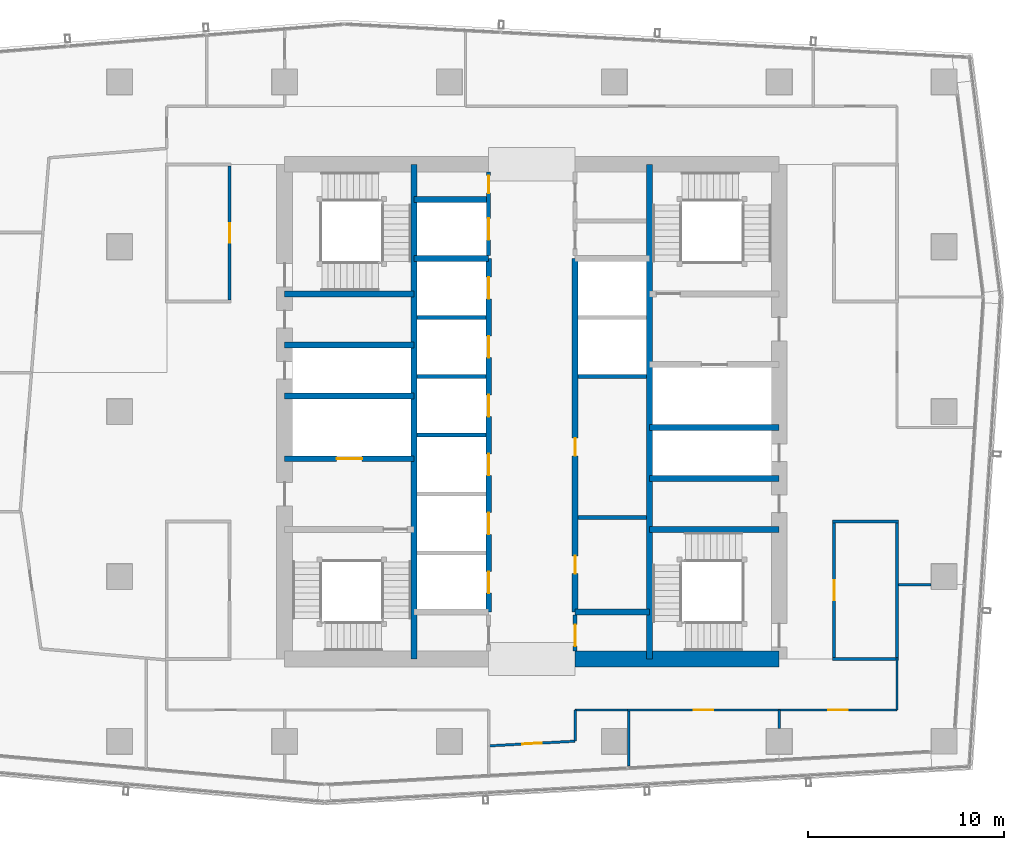
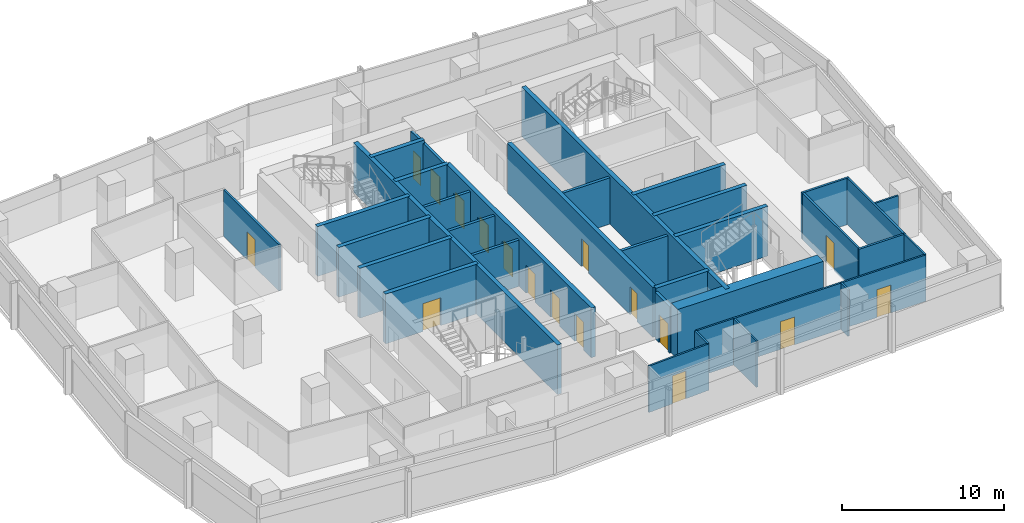
# One storey, part 23 of 29: 36 walls, 17 doors, 17 openings.
"""IFC4 building model written with IfcOpenShell, lengths in metres."""

import ifcopenshell
import ifcopenshell.guid

model = None  # the IFC model being written
_history = None  # IfcOwnerHistory: only IFC2X3 demands one
_inside = {}  # id of a spatial element -> (the spatial element, [elements in it])
_under = {}  # id of a project, library or spatial element -> (it, [spatial elements below it])
_declared = {}  # id of a project -> (the project, [libraries it declares])
_typed = {}  # id of a type object -> (the type object, [elements of that type])
_made_of = {}  # id of a material, layer set ... -> (it, [elements and type objects made of it])


def new_model(schema):
    """Start an empty IFC model of exactly this schema.

    Asked for "IFC4X3", IfcOpenShell would pick the latest addendum, in which some entities
    have other attributes; the version numbers below select the first issue.
    IFC2X3 requires an IfcOwnerHistory on every rooted entity: one is made here for all.
    """
    global model, _history
    if schema == "IFC4X3":
        model = ifcopenshell.file(schema_version=(4, 3, 0, 0))
    else:
        model = ifcopenshell.file(schema=schema)
    _inside.clear()
    _under.clear()
    _declared.clear()
    _typed.clear()
    _made_of.clear()
    _history = None
    if model.schema == "IFC2X3":
        org = make("IfcOrganization", Name="unknown")
        user = make(
            "IfcPersonAndOrganization",
            ThePerson=make("IfcPerson", FamilyName="unknown"),
            TheOrganization=org,
        )
        app = make(
            "IfcApplication",
            ApplicationDeveloper=org,
            Version="unknown",
            ApplicationFullName="unknown",
            ApplicationIdentifier="unknown",
        )
        _history = make(
            "IfcOwnerHistory",
            OwningUser=user,
            OwningApplication=app,
            ChangeAction="ADDED",
            CreationDate=0,
        )
    return model


def make(cls, **values):
    """One entity of the class cls with the attributes given. An attribute that is None is left unset."""
    return model.create_entity(
        cls, **{name: value for name, value in values.items() if value is not None}
    )


def rooted(cls, **values):
    """An entity with a GlobalId (a new one), such as an element, a storey or a relation."""
    return make(cls, GlobalId=ifcopenshell.guid.new(), OwnerHistory=_history, **values)


def si_unit(unit_type, name, prefix=None):
    """IfcSIUnit, for example si_unit("LENGTHUNIT", "METRE", prefix="MILLI")."""
    return make("IfcSIUnit", UnitType=unit_type, Prefix=prefix, Name=name)


def assignment(units):
    """IfcUnitAssignment: the units of a project."""
    return None if units is None else make("IfcUnitAssignment", Units=units)


def point(xyz):
    """IfcCartesianPoint."""
    return None if xyz is None else make("IfcCartesianPoint", Coordinates=xyz)


def direction(xyz):
    """IfcDirection."""
    return None if xyz is None else make("IfcDirection", DirectionRatios=xyz)


def frame(location, z_axis=None, x_axis=None):
    """IfcAxis2Placement3D, a coordinate frame: its origin and axes. An axis left out is left unset."""
    return make(
        "IfcAxis2Placement3D",
        Location=point(location),
        Axis=direction(z_axis),
        RefDirection=direction(x_axis),
    )


def frame_2d(location, x_axis=None):
    """IfcAxis2Placement2D, a coordinate frame in the plane: its origin and x axis."""
    return make(
        "IfcAxis2Placement2D", Location=point(location), RefDirection=direction(x_axis)
    )


def origin():
    """The frame at (0, 0, 0) with its axes left unset."""
    return frame((0.0, 0.0, 0.0))


def place(relative_to, where):
    """IfcLocalPlacement: puts the frame where relative to a parent placement (None: the world)."""
    return make(
        "IfcLocalPlacement", PlacementRelTo=relative_to, RelativePlacement=where
    )


def context(
    kind, dimensions, precision=None, world=None, true_north=None, identifier=None
):
    """IfcGeometricRepresentationContext, for example the 3D "Model" context."""
    return make(
        "IfcGeometricRepresentationContext",
        ContextIdentifier=identifier,
        ContextType=kind,
        CoordinateSpaceDimension=dimensions,
        Precision=precision,
        WorldCoordinateSystem=world,
        TrueNorth=true_north,
    )


def subcontext(parent, identifier, kind, view, scale=None):
    """IfcGeometricRepresentationSubContext, for example "Body" below "Model"."""
    return make(
        "IfcGeometricRepresentationSubContext",
        ContextIdentifier=identifier,
        ContextType=kind,
        ParentContext=parent,
        TargetScale=scale,
        TargetView=view,
    )


def project(units=None, contexts=None):
    """IfcProject with its units and contexts."""
    return rooted(
        "IfcProject",
        Name="project",
        RepresentationContexts=contexts,
        UnitsInContext=assignment(units),
    )


def spatial(cls, under=None, at=None, **own):
    """A site, building, storey or space (cls), placed at a placement, below another one or the project."""
    s = rooted(cls, ObjectPlacement=at, **own)
    if under is not None:
        _under.setdefault(under.id(), (under, []))[1].append(s)
    return s


def profile(cls, at=None, kind="AREA", **sizes):
    """A parametric profile (cls). Its sizes go by their IFC names, for example OverallWidth=200.0."""
    return make(cls, ProfileType=kind, Position=at, **sizes)


def rectangle(**sizes):
    """IfcRectangleProfileDef."""
    return profile("IfcRectangleProfileDef", **sizes)


def extrude(swept, where, along, depth):
    """IfcExtrudedAreaSolid: the profile swept, set in the frame where, extruded along a direction by depth."""
    return make(
        "IfcExtrudedAreaSolid",
        SweptArea=swept,
        Position=where,
        ExtrudedDirection=direction(along),
        Depth=depth,
    )


def shape(context_of_items, identifier, shape_type, items):
    """IfcShapeRepresentation: the items that make up one representation, for example the "Body"."""
    return make(
        "IfcShapeRepresentation",
        ContextOfItems=context_of_items,
        RepresentationIdentifier=identifier,
        RepresentationType=shape_type,
        Items=items,
    )


def material(Name=None, Category=None):
    """IfcMaterial."""
    return make("IfcMaterial", Name=Name, Category=Category)


def layer(
    of_material, thickness, ventilated=None, Name=None, Category=None, Priority=None
):
    """IfcMaterialLayer: one layer of a wall or slab, of a material (None: an air gap)."""
    return make(
        "IfcMaterialLayer",
        Material=of_material,
        LayerThickness=thickness,
        IsVentilated=ventilated,
        Name=Name,
        Category=Category,
        Priority=Priority,
    )


def layer_set(layers, Name=None):
    """IfcMaterialLayerSet."""
    return make("IfcMaterialLayerSet", MaterialLayers=layers, LayerSetName=Name)


def made_of(thing, what):
    """Note that an element or type object is made of a material, layer set ...; save() writes the relation."""
    if what is not None:
        _made_of.setdefault(what.id(), (what, []))[1].append(thing)
    return thing


def type_object(cls, material=None, **own):
    """A type object (cls), such as IfcWallType, which elements share."""
    return made_of(rooted(cls, **own), material)


def element(
    cls,
    number,
    at=None,
    inside=None,
    cuts=None,
    type_object=None,
    material=None,
    context=None,
    identifier="Body",
    shape_type=None,
    held_by="IfcProductDefinitionShape",
    body=None,
    shapes=None,
    **own,
):
    """One element of the class cls, such as IfcWall. Its Tag is "e" and its number.

    at: its placement. inside: the storey or other place that contains it. cuts: it is an
    opening in that element (IfcRelVoidsElement). A single representation is given by context,
    identifier, shape_type and body (its items); several are given by shapes. held_by: the class
    of the entity that holds the representations. save() writes the other relations.
    """
    e = rooted(cls, Tag="e%d" % number, ObjectPlacement=at, **own)
    if body is not None:
        shapes = [shape(context, identifier, shape_type, body)]
    if shapes is not None:
        e.Representation = make(held_by, Representations=shapes)
    if inside is not None:
        _inside.setdefault(inside.id(), (inside, []))[1].append(e)
    if cuts is not None:
        rooted(
            "IfcRelVoidsElement", RelatingBuildingElement=cuts, RelatedOpeningElement=e
        )
    if type_object is not None:
        _typed.setdefault(type_object.id(), (type_object, []))[1].append(e)
    return made_of(e, material)


def fill(opening, filler):
    """IfcRelFillsElement: the door or window that sits in an opening."""
    return rooted(
        "IfcRelFillsElement",
        RelatingOpeningElement=opening,
        RelatedBuildingElement=filler,
    )


def aggregate(whole, parts):
    """IfcRelAggregates: a whole, such as a stair, and the parts it consists of."""
    return rooted("IfcRelAggregates", RelatingObject=whole, RelatedObjects=parts)


def save(model, path):
    """Write the relations noted so far, then the file.

    IfcRelAggregates (storeys below a building ...), IfcRelContainedInSpatialStructure (elements
    in a storey), IfcRelDefinesByType, IfcRelAssociatesMaterial and IfcRelDeclares: one each for
    every whole, place, type object, material and project.
    """
    for whole, parts in _under.values():
        aggregate(whole, parts)
    for where, things in _inside.values():
        rooted(
            "IfcRelContainedInSpatialStructure",
            RelatedElements=things,
            RelatingStructure=where,
        )
    for kind, things in _typed.values():
        rooted("IfcRelDefinesByType", RelatedObjects=things, RelatingType=kind)
    for what, things in _made_of.values():
        rooted("IfcRelAssociatesMaterial", RelatedObjects=things, RelatingMaterial=what)
    for by, libraries in _declared.values():
        rooted("IfcRelDeclares", RelatingContext=by, RelatedDefinitions=libraries)
    model.write(path)


model = new_model("IFC4")

# Units and contexts
model_context = context("Model", 3, precision=1e-05, world=origin(), true_north=direction((0.0, 1.0)))
body_context = subcontext(model_context, "Body", "Model", "MODEL_VIEW")
ifc_project = project(units=[si_unit("LENGTHUNIT", "METRE"), si_unit("AREAUNIT", "SQUARE_METRE"), si_unit("VOLUMEUNIT", "CUBIC_METRE"), si_unit("PLANEANGLEUNIT", "RADIAN"), si_unit("MASSUNIT", "GRAM", prefix="KILO")], contexts=[model_context])

# Site, building, storey
site_placement = place(None, origin())
site = spatial("IfcSite", under=ifc_project, at=site_placement, CompositionType="ELEMENT")
building_placement = place(site_placement, origin())
building = spatial("IfcBuilding", under=site, at=building_placement, Name="Rekha Terrace Tower", CompositionType="ELEMENT")
storey_placement = place(building_placement, frame((0.0, 0.0, 280.10009765625)))
storey = spatial("IfcBuildingStorey", under=building, at=storey_placement, Name="L71", CompositionType="ELEMENT", Elevation=280.10009765625)

# Walls
ifc_material_1 = material(Name="Concrete M60", Category="concrete")
ifc_layer_1 = layer(ifc_material_1, 0.300048828125)
ifc_layer_set_1 = layer_set([ifc_layer_1], Name="Concrete M60")
wall_type_1 = type_object("IfcWallType", Name="CI5 300 core internal shear wall", PredefinedType="SHEAR", material=ifc_layer_set_1)
for number, where, z_axis, x_axis, name in (
    (1, (31.800048828125, 21.0, 0.0), (0.0, 0.0, 1.0), (0.0, 1.0, 0.0), "Core wall X318 L71"),
    (2, (43.800048828125, 21.0, 0.0), (0.0, 0.0, 1.0), (0.0, 1.0, 0.0), "Core wall X438 L71"),
):
    element("IfcWall", number, at=place(storey_placement, frame(where, z_axis=z_axis, x_axis=x_axis)), inside=storey, type_object=wall_type_1, Name=name, PredefinedType="SHEAR", context=body_context, shape_type="SweptSolid", body=[
        extrude(rectangle(XDim=25.199951171875, YDim=0.300048828125, at=frame_2d((12.60009765625, 0.0))), origin(), (0.0, 0.0, 1.0), 3.75),
    ])

# Wall, openings, doors
wall_1_placement = place(storey_placement, frame((35.60009765625, 23.39990234375, 0.0), z_axis=(0.0, 0.0, 1.0), x_axis=(0.0, 1.0, 0.0)))
wall_1 = element("IfcWall", 3, at=wall_1_placement, inside=storey, type_object=wall_type_1, Name="Core wall X356 L71", PredefinedType="SHEAR", context=body_context, shape_type="SweptSolid", body=[
    extrude(rectangle(XDim=18.0, YDim=0.300048828125, at=frame_2d((9.0, 0.0))), origin(), (0.0, 0.0, 1.0), 3.75),
])
opening_1_placement = place(wall_1_placement, frame((0.949951171875, 0.0, 0.0)))
opening_1 = element("IfcOpeningElement", 4, at=opening_1_placement, cuts=wall_1, Name="Opening LD1", PredefinedType="OPENING", context=body_context, shape_type="SweptSolid", body=[
    extrude(rectangle(XDim=1.10009765625, YDim=2.10009765625, at=frame_2d((0.550048828125, 1.050048828125))), frame((0.0, 0.159912109375, 0.0), z_axis=(0.0, -1.0, 0.0), x_axis=(1.0, 0.0, 0.0)), (0.0, 0.0, 1.0), 0.320068359375),
])
opening_2_placement = place(wall_1_placement, frame((3.949951171875, 0.0, 0.0)))
opening_2 = element("IfcOpeningElement", 5, at=opening_2_placement, cuts=wall_1, Name="Opening LD1", PredefinedType="OPENING", context=body_context, shape_type="SweptSolid", body=[
    extrude(rectangle(XDim=1.10009765625, YDim=2.10009765625, at=frame_2d((0.550048828125, 1.050048828125))), frame((0.0, 0.159912109375, 0.0), z_axis=(0.0, -1.0, 0.0), x_axis=(1.0, 0.0, 0.0)), (0.0, 0.0, 1.0), 0.320068359375),
])
opening_3_placement = place(wall_1_placement, frame((6.949951171875, 0.0, 0.0)))
opening_3 = element("IfcOpeningElement", 6, at=opening_3_placement, cuts=wall_1, Name="Opening LD1", PredefinedType="OPENING", context=body_context, shape_type="SweptSolid", body=[
    extrude(rectangle(XDim=1.10009765625, YDim=2.10009765625, at=frame_2d((0.550048828125, 1.050048828125))), frame((0.0, 0.159912109375, 0.0), z_axis=(0.0, -1.0, 0.0), x_axis=(1.0, 0.0, 0.0)), (0.0, 0.0, 1.0), 0.320068359375),
])
opening_4_placement = place(wall_1_placement, frame((9.949951171875, 0.0, 0.0)))
opening_4 = element("IfcOpeningElement", 7, at=opening_4_placement, cuts=wall_1, Name="Opening LD1", PredefinedType="OPENING", context=body_context, shape_type="SweptSolid", body=[
    extrude(rectangle(XDim=1.10009765625, YDim=2.10009765625, at=frame_2d((0.550048828125, 1.050048828125))), frame((0.0, 0.159912109375, 0.0), z_axis=(0.0, -1.0, 0.0), x_axis=(1.0, 0.0, 0.0)), (0.0, 0.0, 1.0), 0.320068359375),
])
opening_5_placement = place(wall_1_placement, frame((12.949951171875, 0.0, 0.0)))
opening_5 = element("IfcOpeningElement", 8, at=opening_5_placement, cuts=wall_1, Name="Opening LD1", PredefinedType="OPENING", context=body_context, shape_type="SweptSolid", body=[
    extrude(rectangle(XDim=1.10009765625, YDim=2.10009765625, at=frame_2d((0.550048828125, 1.050048828125))), frame((0.0, 0.159912109375, 0.0), z_axis=(0.0, -1.0, 0.0), x_axis=(1.0, 0.0, 0.0)), (0.0, 0.0, 1.0), 0.320068359375),
])
opening_6_placement = place(wall_1_placement, frame((15.949951171875, 0.0, 0.0)))
opening_6 = element("IfcOpeningElement", 9, at=opening_6_placement, cuts=wall_1, Name="Opening LD1", PredefinedType="OPENING", context=body_context, shape_type="SweptSolid", body=[
    extrude(rectangle(XDim=1.10009765625, YDim=2.10009765625, at=frame_2d((0.550048828125, 1.050048828125))), frame((0.0, 0.159912109375, 0.0), z_axis=(0.0, -1.0, 0.0), x_axis=(1.0, 0.0, 0.0)), (0.0, 0.0, 1.0), 0.320068359375),
])
ifc_material_2 = material(Name="Stainless steel sliding landing door", Category="steel")
door_type_1 = type_object("IfcDoorType", Name="LD1 1100x2100 lift landing door", OperationType="SLIDING_TO_LEFT", PredefinedType="USERDEFINED", material=ifc_material_2)
door_1_placement = place(opening_1_placement, origin())
door_1 = element("IfcDoor", 10, at=door_1_placement, inside=storey, type_object=door_type_1, Name="Lift D1 landing door L71", ObjectType="LIFT LANDING DOOR", OperationType="SLIDING_TO_LEFT", OverallHeight=2.10009765625, OverallWidth=1.10009765625, PredefinedType="USERDEFINED", context=body_context, shape_type="SweptSolid", body=[
    extrude(rectangle(XDim=1.10009765625, YDim=2.10009765625, at=frame_2d((0.550048828125, 1.050048828125))), frame((0.0, 0.02490234375, 0.0), z_axis=(0.0, -1.0, 0.0), x_axis=(1.0, 0.0, 0.0)), (0.0, 0.0, 1.0), 0.050048828125),
])
fill(opening_1, door_1)
door_2_placement = place(opening_2_placement, origin())
door_2 = element("IfcDoor", 11, at=door_2_placement, inside=storey, type_object=door_type_1, Name="Lift D2 landing door L71", ObjectType="LIFT LANDING DOOR", OperationType="SLIDING_TO_LEFT", OverallHeight=2.10009765625, OverallWidth=1.10009765625, PredefinedType="USERDEFINED", context=body_context, shape_type="SweptSolid", body=[
    extrude(rectangle(XDim=1.10009765625, YDim=2.10009765625, at=frame_2d((0.550048828125, 1.050048828125))), frame((0.0, 0.02490234375, 0.0), z_axis=(0.0, -1.0, 0.0), x_axis=(1.0, 0.0, 0.0)), (0.0, 0.0, 1.0), 0.050048828125),
])
fill(opening_2, door_2)
door_3_placement = place(opening_3_placement, origin())
door_3 = element("IfcDoor", 12, at=door_3_placement, inside=storey, type_object=door_type_1, Name="Lift D3 landing door L71", ObjectType="LIFT LANDING DOOR", OperationType="SLIDING_TO_LEFT", OverallHeight=2.10009765625, OverallWidth=1.10009765625, PredefinedType="USERDEFINED", context=body_context, shape_type="SweptSolid", body=[
    extrude(rectangle(XDim=1.10009765625, YDim=2.10009765625, at=frame_2d((0.550048828125, 1.050048828125))), frame((0.0, 0.02490234375, 0.0), z_axis=(0.0, -1.0, 0.0), x_axis=(1.0, 0.0, 0.0)), (0.0, 0.0, 1.0), 0.050048828125),
])
fill(opening_3, door_3)
door_4_placement = place(opening_4_placement, origin())
door_4 = element("IfcDoor", 13, at=door_4_placement, inside=storey, type_object=door_type_1, Name="Lift D4 landing door L71", ObjectType="LIFT LANDING DOOR", OperationType="SLIDING_TO_LEFT", OverallHeight=2.10009765625, OverallWidth=1.10009765625, PredefinedType="USERDEFINED", context=body_context, shape_type="SweptSolid", body=[
    extrude(rectangle(XDim=1.10009765625, YDim=2.10009765625, at=frame_2d((0.550048828125, 1.050048828125))), frame((0.0, 0.02490234375, 0.0), z_axis=(0.0, -1.0, 0.0), x_axis=(1.0, 0.0, 0.0)), (0.0, 0.0, 1.0), 0.050048828125),
])
fill(opening_4, door_4)
door_5_placement = place(opening_5_placement, origin())
door_5 = element("IfcDoor", 14, at=door_5_placement, inside=storey, type_object=door_type_1, Name="Lift D5 landing door L71", ObjectType="LIFT LANDING DOOR", OperationType="SLIDING_TO_LEFT", OverallHeight=2.10009765625, OverallWidth=1.10009765625, PredefinedType="USERDEFINED", context=body_context, shape_type="SweptSolid", body=[
    extrude(rectangle(XDim=1.10009765625, YDim=2.10009765625, at=frame_2d((0.550048828125, 1.050048828125))), frame((0.0, 0.02490234375, 0.0), z_axis=(0.0, -1.0, 0.0), x_axis=(1.0, 0.0, 0.0)), (0.0, 0.0, 1.0), 0.050048828125),
])
fill(opening_5, door_5)
door_6_placement = place(opening_6_placement, origin())
door_6 = element("IfcDoor", 15, at=door_6_placement, inside=storey, type_object=door_type_1, Name="Lift D6 landing door L71", ObjectType="LIFT LANDING DOOR", OperationType="SLIDING_TO_LEFT", OverallHeight=2.10009765625, OverallWidth=1.10009765625, PredefinedType="USERDEFINED", context=body_context, shape_type="SweptSolid", body=[
    extrude(rectangle(XDim=1.10009765625, YDim=2.10009765625, at=frame_2d((0.550048828125, 1.050048828125))), frame((0.0, 0.02490234375, 0.0), z_axis=(0.0, -1.0, 0.0), x_axis=(1.0, 0.0, 0.0)), (0.0, 0.0, 1.0), 0.050048828125),
])
fill(opening_6, door_6)

wall_2_placement = place(storey_placement, frame((40.0, 23.39990234375, 0.0), z_axis=(0.0, 0.0, 1.0), x_axis=(0.0, 1.0, 0.0)))
wall_2 = element("IfcWall", 16, at=wall_2_placement, inside=storey, type_object=wall_type_1, Name="Core wall X400 L71", PredefinedType="SHEAR", context=body_context, shape_type="SweptSolid", body=[
    extrude(rectangle(XDim=18.0, YDim=0.300048828125, at=frame_2d((9.0, 0.0))), origin(), (0.0, 0.0, 1.0), 3.75),
])
opening_7_placement = place(wall_2_placement, frame((1.949951171875, 0.0, 0.0)))
opening_7 = element("IfcOpeningElement", 17, at=opening_7_placement, cuts=wall_2, Name="Opening D5", PredefinedType="OPENING", context=body_context, shape_type="SweptSolid", body=[
    extrude(rectangle(XDim=0.89990234375, YDim=2.10009765625, at=frame_2d((0.449951171875, 1.050048828125))), frame((0.0, 0.159912109375, 0.0), z_axis=(0.0, -1.0, 0.0), x_axis=(1.0, 0.0, 0.0)), (0.0, 0.0, 1.0), 0.320068359375),
])
opening_8_placement = place(wall_2_placement, frame((7.949951171875, 0.0, 0.0)))
opening_8 = element("IfcOpeningElement", 18, at=opening_8_placement, cuts=wall_2, Name="Opening D5", PredefinedType="OPENING", context=body_context, shape_type="SweptSolid", body=[
    extrude(rectangle(XDim=0.89990234375, YDim=2.10009765625, at=frame_2d((0.449951171875, 1.050048828125))), frame((0.0, 0.159912109375, 0.0), z_axis=(0.0, -1.0, 0.0), x_axis=(1.0, 0.0, 0.0)), (0.0, 0.0, 1.0), 0.320068359375),
])
ifc_material_3 = material(Name="Steel fire door", Category="steel")
door_type_2 = type_object("IfcDoorType", Name="D5 900x2100 riser access door", OperationType="SINGLE_SWING_LEFT", PredefinedType="DOOR", material=ifc_material_3)
door_7_placement = place(opening_7_placement, origin())
door_7 = element("IfcDoor", 19, at=door_7_placement, inside=storey, type_object=door_type_2, Name="Door records store L71", OperationType="SINGLE_SWING_LEFT", OverallHeight=2.10009765625, OverallWidth=0.89990234375, PredefinedType="DOOR", context=body_context, shape_type="SweptSolid", body=[
    extrude(rectangle(XDim=0.89990234375, YDim=2.10009765625, at=frame_2d((0.449951171875, 1.050048828125))), frame((0.0, 0.02490234375, 0.0), z_axis=(0.0, -1.0, 0.0), x_axis=(1.0, 0.0, 0.0)), (0.0, 0.0, 1.0), 0.050048828125),
])
fill(opening_7, door_7)
door_8_placement = place(opening_8_placement, origin())
door_8 = element("IfcDoor", 20, at=door_8_placement, inside=storey, type_object=door_type_2, Name="Door back-of-house store L71", OperationType="SINGLE_SWING_LEFT", OverallHeight=2.10009765625, OverallWidth=0.89990234375, PredefinedType="DOOR", context=body_context, shape_type="SweptSolid", body=[
    extrude(rectangle(XDim=0.89990234375, YDim=2.10009765625, at=frame_2d((0.449951171875, 1.050048828125))), frame((0.0, 0.02490234375, 0.0), z_axis=(0.0, -1.0, 0.0), x_axis=(1.0, 0.0, 0.0)), (0.0, 0.0, 1.0), 0.050048828125),
])
fill(opening_8, door_8)

# Walls
for number, where, z_axis, x_axis, name in (
    (21, (31.800048828125, 41.39990234375, 0.0), (0.0, 0.0, 1.0), (1.0, 0.0, 0.0), "Core wall Y414W L71"),
    (22, (31.800048828125, 44.39990234375, 0.0), (0.0, 0.0, 1.0), (1.0, 0.0, 0.0), "Core wall Y444W L71"),
    (23, (40.0, 23.39990234375, 0.0), (0.0, 0.0, 1.0), (1.0, 0.0, 0.0), "Core wall Y234E L71"),
):
    element("IfcWall", number, at=place(storey_placement, frame(where, z_axis=z_axis, x_axis=x_axis)), inside=storey, type_object=wall_type_1, Name=name, PredefinedType="SHEAR", context=body_context, shape_type="SweptSolid", body=[
        extrude(rectangle(XDim=3.800048828125, YDim=0.300048828125, at=frame_2d((1.89990234375, 0.0))), origin(), (0.0, 0.0, 1.0), 3.75),
    ])

# Wall, opening, door
wall_3_placement = place(storey_placement, frame((25.199951171875, 31.199951171875, 0.0), z_axis=(0.0, 0.0, 1.0), x_axis=(1.0, 0.0, 0.0)))
wall_3 = element("IfcWall", 24, at=wall_3_placement, inside=storey, type_object=wall_type_1, Name="Core wall Y312W L71", PredefinedType="SHEAR", context=body_context, shape_type="SweptSolid", body=[
    extrude(rectangle(XDim=6.60009765625, YDim=0.300048828125, at=frame_2d((3.300048828125, 0.0))), origin(), (0.0, 0.0, 1.0), 3.75),
])
opening_9_placement = place(wall_3_placement, frame((2.64990234375, 0.0, 0.0)))
opening_9 = element("IfcOpeningElement", 25, at=opening_9_placement, cuts=wall_3, Name="Opening LD2", PredefinedType="OPENING", context=body_context, shape_type="SweptSolid", body=[
    extrude(rectangle(XDim=1.300048828125, YDim=2.10009765625, at=frame_2d((0.64990234375, 1.050048828125))), frame((0.0, 0.159912109375, 0.0), z_axis=(0.0, -1.0, 0.0), x_axis=(1.0, 0.0, 0.0)), (0.0, 0.0, 1.0), 0.320068359375),
])
door_type_3 = type_object("IfcDoorType", Name="LD2 1300x2100 fire lift landing door", OperationType="SLIDING_TO_LEFT", PredefinedType="USERDEFINED", material=ifc_material_2)
door_9_placement = place(opening_9_placement, origin())
door_9 = element("IfcDoor", 26, at=door_9_placement, inside=storey, type_object=door_type_3, Name="Lift FL1 landing door L71", ObjectType="LIFT LANDING DOOR", OperationType="SLIDING_TO_LEFT", OverallHeight=2.10009765625, OverallWidth=1.300048828125, PredefinedType="USERDEFINED", context=body_context, shape_type="SweptSolid", body=[
    extrude(rectangle(XDim=1.300048828125, YDim=2.10009765625, at=frame_2d((0.64990234375, 1.050048828125))), frame((0.0, 0.02490234375, 0.0), z_axis=(0.0, -1.0, 0.0), x_axis=(1.0, 0.0, 0.0)), (0.0, 0.0, 1.0), 0.050048828125),
])
fill(opening_9, door_9)

# Walls
for number, where, z_axis, x_axis, name in (
    (27, (25.199951171875, 34.39990234375, 0.0), (0.0, 0.0, 1.0), (1.0, 0.0, 0.0), "Core wall Y344W L71"),
    (28, (25.199951171875, 37.0, 0.0), (0.0, 0.0, 1.0), (1.0, 0.0, 0.0), "Core wall Y370W L71"),
    (29, (25.199951171875, 39.60009765625, 0.0), (0.0, 0.0, 1.0), (1.0, 0.0, 0.0), "Core wall Y396W L71"),
):
    element("IfcWall", number, at=place(storey_placement, frame(where, z_axis=z_axis, x_axis=x_axis)), inside=storey, type_object=wall_type_1, Name=name, PredefinedType="SHEAR", context=body_context, shape_type="SweptSolid", body=[
        extrude(rectangle(XDim=6.60009765625, YDim=0.300048828125, at=frame_2d((3.300048828125, 0.0))), origin(), (0.0, 0.0, 1.0), 3.75),
    ])
for number, where, z_axis, x_axis, name in (
    (30, (43.800048828125, 27.60009765625, 0.0), (0.0, 0.0, 1.0), (1.0, 0.0, 0.0), "Core wall Y276E L71"),
    (31, (43.800048828125, 30.199951171875, 0.0), (0.0, 0.0, 1.0), (1.0, 0.0, 0.0), "Core wall Y302E L71"),
    (32, (43.800048828125, 32.800048828125, 0.0), (0.0, 0.0, 1.0), (1.0, 0.0, 0.0), "Core wall Y328E L71"),
):
    element("IfcWall", number, at=place(storey_placement, frame(where, z_axis=z_axis, x_axis=x_axis)), inside=storey, type_object=wall_type_1, Name=name, PredefinedType="SHEAR", context=body_context, shape_type="SweptSolid", body=[
        extrude(rectangle(XDim=6.599853515625, YDim=0.300048828125, at=frame_2d((3.2998046875, 0.0))), origin(), (0.0, 0.0, 1.0), 3.75),
    ])
ifc_layer_2 = layer(ifc_material_1, 0.800048828125)
ifc_layer_set_2 = layer_set([ifc_layer_2], Name="Concrete M60")
wall_type_2 = type_object("IfcWallType", Name="SW5 800 core outer shear wall", PredefinedType="SHEAR", material=ifc_layer_set_2)
wall_4_placement = place(storey_placement, frame((40.0, 21.0, 0.0), z_axis=(0.0, 0.0, 1.0), x_axis=(1.0, 0.0, 0.0)))
element("IfcWall", 33, at=wall_4_placement, inside=storey, type_object=wall_type_2, Name="Core wall S2 L71", PredefinedType="SHEAR", context=body_context, shape_type="SweptSolid", body=[
    extrude(rectangle(XDim=10.39990234375, YDim=0.800048828125, at=frame_2d((5.199951171875, 0.0))), origin(), (0.0, 0.0, 1.0), 3.75),
])

# Wall, opening, door
ifc_material_4 = material(Name="Concrete block masonry, 1 hour", Category="masonry")
ifc_layer_3 = layer(ifc_material_4, 0.14990234375)
ifc_layer_set_3 = layer_set([ifc_layer_3], Name="Concrete block masonry, 1 hour")
wall_type_3 = type_object("IfcWallType", Name="WP2 150 tenancy partition", PredefinedType="PARTITIONING", material=ifc_layer_set_3)
wall_5_placement = place(storey_placement, frame((22.39990234375, 39.27490234375, 0.0), z_axis=(0.0, 0.0, 1.0), x_axis=(0.0, 1.0, 0.0)))
wall_5 = element("IfcWall", 34, at=wall_5_placement, inside=storey, type_object=wall_type_3, Name="Women's WC wall L71", PredefinedType="PARTITIONING", context=body_context, shape_type="SweptSolid", body=[
    extrude(rectangle(XDim=6.85009765625, YDim=0.14990234375, at=frame_2d((3.425048828125, 0.0))), origin(), (0.0, 0.0, 1.0), 3.5),
])
opening_10_placement = place(wall_5_placement, frame((2.925048828125, 0.0, 0.0)))
opening_10 = element("IfcOpeningElement", 35, at=opening_10_placement, cuts=wall_5, Name="Opening D3", PredefinedType="OPENING", context=body_context, shape_type="SweptSolid", body=[
    extrude(rectangle(XDim=1.0, YDim=2.10009765625, at=frame_2d((0.5, 1.050048828125))), frame((0.0, 0.0849609375, 0.0), z_axis=(0.0, -1.0, 0.0), x_axis=(1.0, 0.0, 0.0)), (0.0, 0.0, 1.0), 0.169921875),
])
ifc_material_5 = material(Name="Laminated timber fire door", Category="wood")
door_type_4 = type_object("IfcDoorType", Name="D3 1000x2100 WC door", OperationType="SINGLE_SWING_LEFT", PredefinedType="DOOR", material=ifc_material_5)
door_10_placement = place(opening_10_placement, origin())
door_10 = element("IfcDoor", 36, at=door_10_placement, inside=storey, type_object=door_type_4, Name="Door women's wc L71", OperationType="SINGLE_SWING_LEFT", OverallHeight=2.10009765625, OverallWidth=1.0, PredefinedType="DOOR", context=body_context, shape_type="SweptSolid", body=[
    extrude(rectangle(XDim=1.0, YDim=2.10009765625, at=frame_2d((0.5, 1.050048828125))), frame((0.0, 0.02490234375, 0.0), z_axis=(0.0, -1.0, 0.0), x_axis=(1.0, 0.0, 0.0)), (0.0, 0.0, 1.0), 0.050048828125),
])
fill(opening_10, door_10)

# Walls
for number, where, z_axis, x_axis, name in (
    (37, (53.125, 21.0, 0.0), (0.0, 0.0, 1.0), (1.0, 0.0, 0.0), "Men's WC wall L71"),
    (38, (53.125, 28.0, 0.0), (0.0, 0.0, 1.0), (1.0, 0.0, 0.0), "Men's WC wall L71"),
):
    element("IfcWall", number, at=place(storey_placement, frame(where, z_axis=z_axis, x_axis=x_axis)), inside=storey, type_object=wall_type_3, Name=name, PredefinedType="PARTITIONING", context=body_context, shape_type="SweptSolid", body=[
        extrude(rectangle(XDim=3.35009765625, YDim=0.14990234375, at=frame_2d((1.675048828125, 0.0))), origin(), (0.0, 0.0, 1.0), 3.5),
    ])

# Wall, opening, door
wall_6_placement = place(storey_placement, frame((53.199951171875, 21.074951171875, 0.0), z_axis=(0.0, 0.0, 1.0), x_axis=(0.0, 1.0, 0.0)))
wall_6 = element("IfcWall", 39, at=wall_6_placement, inside=storey, type_object=wall_type_3, Name="Men's WC wall L71", PredefinedType="PARTITIONING", context=body_context, shape_type="SweptSolid", body=[
    extrude(rectangle(XDim=6.85009765625, YDim=0.14990234375, at=frame_2d((3.425048828125, 0.0))), origin(), (0.0, 0.0, 1.0), 3.5),
])
opening_11_placement = place(wall_6_placement, frame((2.925048828125, 0.0, 0.0)))
opening_11 = element("IfcOpeningElement", 40, at=opening_11_placement, cuts=wall_6, Name="Opening D3", PredefinedType="OPENING", context=body_context, shape_type="SweptSolid", body=[
    extrude(rectangle(XDim=1.0, YDim=2.10009765625, at=frame_2d((0.5, 1.050048828125))), frame((0.0, 0.0849609375, 0.0), z_axis=(0.0, -1.0, 0.0), x_axis=(1.0, 0.0, 0.0)), (0.0, 0.0, 1.0), 0.169921875),
])
door_11_placement = place(opening_11_placement, origin())
door_11 = element("IfcDoor", 41, at=door_11_placement, inside=storey, type_object=door_type_4, Name="Door men's wc L71", OperationType="SINGLE_SWING_LEFT", OverallHeight=2.10009765625, OverallWidth=1.0, PredefinedType="DOOR", context=body_context, shape_type="SweptSolid", body=[
    extrude(rectangle(XDim=1.0, YDim=2.10009765625, at=frame_2d((0.5, 1.050048828125))), frame((0.0, 0.02490234375, 0.0), z_axis=(0.0, -1.0, 0.0), x_axis=(1.0, 0.0, 0.0)), (0.0, 0.0, 1.0), 0.050048828125),
])
fill(opening_11, door_11)

# Walls
wall_7_placement = place(storey_placement, frame((56.39990234375, 21.074951171875, 0.0), z_axis=(0.0, 0.0, 1.0), x_axis=(0.0, 1.0, 0.0)))
element("IfcWall", 42, at=wall_7_placement, inside=storey, type_object=wall_type_3, Name="Men's WC wall L71", PredefinedType="PARTITIONING", context=body_context, shape_type="SweptSolid", body=[
    extrude(rectangle(XDim=6.85009765625, YDim=0.14990234375, at=frame_2d((3.425048828125, 0.0))), origin(), (0.0, 0.0, 1.0), 3.5),
])
ifc_material_6 = material(Name="Two layers of fire-rated gypsum board each side on steel studs, acoustic quilt, 1 hour", Category="steel")
ifc_layer_4 = layer(ifc_material_6, 0.125)
ifc_layer_set_4 = layer_set([ifc_layer_4], Name="Two layers of fire-rated gypsum board each side on steel studs, acoustic quilt, 1 hour")
wall_type_4 = type_object("IfcWallType", Name="WP3 125 office partition", PredefinedType="PARTITIONING", material=ifc_layer_set_4)
wall_8_placement = place(storey_placement, frame((40.0, 16.81103515625, 0.0), z_axis=(0.0, 0.0, 1.0), x_axis=(0.0, 1.0, 0.0)))
element("IfcWall", 43, at=wall_8_placement, inside=storey, type_object=wall_type_4, Name="Partition L71-08", PredefinedType="PARTITIONING", context=body_context, shape_type="SweptSolid", body=[
    extrude(rectangle(XDim=1.5888671875, YDim=0.125, at=frame_2d((0.79443359375, 0.0))), origin(), (0.0, 0.0, 1.0), 3.5),
])
wall_9_placement = place(storey_placement, frame((40.0, 18.39990234375, 0.0), z_axis=(0.0, 0.0, 1.0), x_axis=(1.0, 0.0, 0.0)))
element("IfcWall", 44, at=wall_9_placement, inside=storey, type_object=wall_type_4, Name="Partition L71-08", PredefinedType="PARTITIONING", context=body_context, shape_type="SweptSolid", body=[
    extrude(rectangle(XDim=2.673095703125, YDim=0.125, at=frame_2d((1.33642578125, 0.0))), origin(), (0.0, 0.0, 1.0), 3.5),
])
wall_10_placement = place(storey_placement, frame((42.741943359375, 18.3369140625, 0.0), z_axis=(0.0, 0.0, 1.0), x_axis=(0.0, -1.0, 0.0)))
element("IfcWall", 45, at=wall_10_placement, inside=storey, type_object=wall_type_4, Name="Partition L71-08", PredefinedType="PARTITIONING", context=body_context, shape_type="SweptSolid", body=[
    extrude(rectangle(XDim=2.798828125, YDim=0.125, at=frame_2d((1.3994140625, 0.0))), origin(), (0.0, 0.0, 1.0), 3.5),
])

# Wall, opening, door
wall_11_placement = place(storey_placement, frame((35.59912109375, 16.571044921875, 0.0), z_axis=(0.0, 0.0, 1.0), x_axis=(0.998516419886, 0.054451439074, 0.0)))
wall_11 = element("IfcWall", 46, at=wall_11_placement, inside=storey, type_object=wall_type_4, Name="Partition L71-08", PredefinedType="PARTITIONING", context=body_context, shape_type="SweptSolid", body=[
    extrude(rectangle(XDim=4.407470703125, YDim=0.125, at=frame_2d((2.20361328125, 0.0))), origin(), (0.0, 0.0, 1.0), 3.5),
])
opening_12_placement = place(wall_11_placement, frame((1.7041015625, 0.0, 0.0)))
opening_12 = element("IfcOpeningElement", 47, at=opening_12_placement, cuts=wall_11, Name="Opening D9", PredefinedType="OPENING", context=body_context, shape_type="SweptSolid", body=[
    extrude(rectangle(XDim=1.0, YDim=2.10009765625, at=frame_2d((0.5, 1.050048828125))), frame((0.0, 0.072509765625, 0.0), z_axis=(0.0, -1.0, 0.0), x_axis=(1.0, 0.0, 0.0)), (0.0, 0.0, 1.0), 0.14501953125),
])
ifc_material_7 = material(Name="Timber fire door", Category="wood")
door_type_5 = type_object("IfcDoorType", Name="D9 1000x2100 office door", OperationType="SINGLE_SWING_LEFT", PredefinedType="DOOR", material=ifc_material_7)
door_12_placement = place(opening_12_placement, origin())
door_12 = element("IfcDoor", 48, at=door_12_placement, inside=storey, type_object=door_type_5, Name="Door wellness room L71", OperationType="SINGLE_SWING_LEFT", OverallHeight=2.10009765625, OverallWidth=1.0, PredefinedType="DOOR", context=body_context, shape_type="SweptSolid", body=[
    extrude(rectangle(XDim=1.0, YDim=2.10009765625, at=frame_2d((0.5, 1.050048828125))), frame((0.0, 0.02490234375, 0.0), z_axis=(0.0, -1.0, 0.0), x_axis=(1.0, 0.0, 0.0)), (0.0, 0.0, 1.0), 0.050048828125),
])
fill(opening_12, door_12)

wall_12_placement = place(storey_placement, frame((42.674072265625, 18.39990234375, 0.0), z_axis=(0.0, 0.0, 1.0), x_axis=(1.0, 0.0, 0.0)))
wall_12 = element("IfcWall", 49, at=wall_12_placement, inside=storey, type_object=wall_type_4, Name="Partition L71-09", PredefinedType="PARTITIONING", context=body_context, shape_type="SweptSolid", body=[
    extrude(rectangle(XDim=7.725830078125, YDim=0.125, at=frame_2d((3.86279296875, 0.0))), origin(), (0.0, 0.0, 1.0), 3.5),
])
opening_13_placement = place(wall_12_placement, frame((3.363037109375, 0.0, 0.0)))
opening_13 = element("IfcOpeningElement", 50, at=opening_13_placement, cuts=wall_12, Name="Opening D9", PredefinedType="OPENING", context=body_context, shape_type="SweptSolid", body=[
    extrude(rectangle(XDim=1.0, YDim=2.10009765625, at=frame_2d((0.5, 1.050048828125))), frame((0.0, 0.072509765625, 0.0), z_axis=(0.0, -1.0, 0.0), x_axis=(1.0, 0.0, 0.0)), (0.0, 0.0, 1.0), 0.14501953125),
])
door_13_placement = place(opening_13_placement, origin())
door_13 = element("IfcDoor", 51, at=door_13_placement, inside=storey, type_object=door_type_5, Name="Door board meeting room L71", OperationType="SINGLE_SWING_LEFT", OverallHeight=2.10009765625, OverallWidth=1.0, PredefinedType="DOOR", context=body_context, shape_type="SweptSolid", body=[
    extrude(rectangle(XDim=1.0, YDim=2.10009765625, at=frame_2d((0.5, 1.050048828125))), frame((0.0, 0.02490234375, 0.0), z_axis=(0.0, -1.0, 0.0), x_axis=(1.0, 0.0, 0.0)), (0.0, 0.0, 1.0), 0.050048828125),
])
fill(opening_13, door_13)

# Walls
wall_13_placement = place(storey_placement, frame((50.39990234375, 18.39990234375, 0.0), z_axis=(0.0, 0.0, 1.0), x_axis=(0.0, -1.0, 0.0)))
element("IfcWall", 52, at=wall_13_placement, inside=storey, type_object=wall_type_4, Name="Partition L71-09", PredefinedType="PARTITIONING", context=body_context, shape_type="SweptSolid", body=[
    extrude(rectangle(XDim=0.929931640625, YDim=0.125, at=frame_2d((0.46484375, 0.0))), origin(), (0.0, 0.0, 1.0), 3.5),
])
wall_14_placement = place(storey_placement, frame((56.47509765625, 24.785888671875, 0.0), z_axis=(0.0, 0.0, 1.0), x_axis=(1.0, 0.0, 0.0)))
element("IfcWall", 53, at=wall_14_placement, inside=storey, type_object=wall_type_4, Name="Partition L71-10", PredefinedType="PARTITIONING", context=body_context, shape_type="SweptSolid", body=[
    extrude(rectangle(XDim=1.65478515625, YDim=0.125, at=frame_2d((0.827392578125, 0.0))), origin(), (0.0, 0.0, 1.0), 3.5),
])

# Wall, opening, door
wall_15_placement = place(storey_placement, frame((50.40087890625, 18.39990234375, 0.0), z_axis=(0.0, 0.0, 1.0), x_axis=(1.0, 0.0, 0.0)))
wall_15 = element("IfcWall", 54, at=wall_15_placement, inside=storey, type_object=wall_type_4, Name="Partition L71-10", PredefinedType="PARTITIONING", context=body_context, shape_type="SweptSolid", body=[
    extrude(rectangle(XDim=5.9990234375, YDim=0.125, at=frame_2d((2.99951171875, 0.0))), origin(), (0.0, 0.0, 1.0), 3.5),
])
opening_14_placement = place(wall_15_placement, frame((2.4990234375, 0.0, 0.0)))
opening_14 = element("IfcOpeningElement", 55, at=opening_14_placement, cuts=wall_15, Name="Opening D9", PredefinedType="OPENING", context=body_context, shape_type="SweptSolid", body=[
    extrude(rectangle(XDim=1.0, YDim=2.10009765625, at=frame_2d((0.5, 1.050048828125))), frame((0.0, 0.072509765625, 0.0), z_axis=(0.0, -1.0, 0.0), x_axis=(1.0, 0.0, 0.0)), (0.0, 0.0, 1.0), 0.14501953125),
])
door_14_placement = place(opening_14_placement, origin())
door_14 = element("IfcDoor", 56, at=door_14_placement, inside=storey, type_object=door_type_5, Name="Door chairman's office L71", OperationType="SINGLE_SWING_LEFT", OverallHeight=2.10009765625, OverallWidth=1.0, PredefinedType="DOOR", context=body_context, shape_type="SweptSolid", body=[
    extrude(rectangle(XDim=1.0, YDim=2.10009765625, at=frame_2d((0.5, 1.050048828125))), frame((0.0, 0.02490234375, 0.0), z_axis=(0.0, -1.0, 0.0), x_axis=(1.0, 0.0, 0.0)), (0.0, 0.0, 1.0), 0.050048828125),
])
fill(opening_14, door_14)

# Walls
wall_16_placement = place(storey_placement, frame((56.39990234375, 18.39990234375, 0.0), z_axis=(0.0, 0.0, 1.0), x_axis=(0.0, 1.0, 0.0)))
element("IfcWall", 57, at=wall_16_placement, inside=storey, type_object=wall_type_4, Name="Partition L71-10", PredefinedType="PARTITIONING", context=body_context, shape_type="SweptSolid", body=[
    extrude(rectangle(XDim=2.675048828125, YDim=0.125, at=frame_2d((1.33740234375, 0.0))), origin(), (0.0, 0.0, 1.0), 3.5),
])
ifc_material_8 = material(Name="Solid concrete block masonry, 2 hour", Category="masonry")
ifc_layer_5 = layer(ifc_material_8, 0.199951171875)
ifc_layer_set_5 = layer_set([ifc_layer_5], Name="Solid concrete block masonry, 2 hour")
wall_type_5 = type_object("IfcWallType", Name="WS1 200 stair and shaft enclosure", PredefinedType="PARTITIONING", material=ifc_layer_set_5)
for number, where, z_axis, x_axis, name in (
    (58, (31.949951171875, 32.39990234375, 0.0), (0.0, 0.0, 1.0), (1.0, 0.0, 0.0), "Lift shaft divider L71"),
    (59, (31.949951171875, 35.39990234375, 0.0), (0.0, 0.0, 1.0), (1.0, 0.0, 0.0), "Lift shaft divider L71"),
    (60, (31.949951171875, 38.39990234375, 0.0), (0.0, 0.0, 1.0), (1.0, 0.0, 0.0), "Lift shaft divider L71"),
    (61, (40.14990234375, 35.39990234375, 0.0), (0.0, 0.0, 1.0), (1.0, 0.0, 0.0), "Lift shaft divider L71"),
):
    element("IfcWall", number, at=place(storey_placement, frame(where, z_axis=z_axis, x_axis=x_axis)), inside=storey, type_object=wall_type_5, Name=name, PredefinedType="PARTITIONING", context=body_context, shape_type="SweptSolid", body=[
        extrude(rectangle(XDim=3.5, YDim=0.199951171875, at=frame_2d((1.75, 0.0))), origin(), (0.0, 0.0, 1.0), 3.5),
    ])

# Wall, opening, door
wall_17_placement = place(storey_placement, frame((40.0, 21.39990234375, 0.0), z_axis=(0.0, 0.0, 1.0), x_axis=(0.0, 1.0, 0.0)))
wall_17 = element("IfcWall", 62, at=wall_17_placement, inside=storey, type_object=wall_type_5, Name="Core partition wca L71", PredefinedType="PARTITIONING", context=body_context, shape_type="SweptSolid", body=[
    extrude(rectangle(XDim=1.85009765625, YDim=0.199951171875, at=frame_2d((0.925048828125, 0.0))), origin(), (0.0, 0.0, 1.0), 3.5),
])
opening_15_placement = place(wall_17_placement, frame((0.25, 0.0, 0.0)))
opening_15 = element("IfcOpeningElement", 63, at=opening_15_placement, cuts=wall_17, Name="Opening D4", PredefinedType="OPENING", context=body_context, shape_type="SweptSolid", body=[
    extrude(rectangle(XDim=1.10009765625, YDim=2.10009765625, at=frame_2d((0.550048828125, 1.050048828125))), frame((0.0, 0.10986328125, 0.0), z_axis=(0.0, -1.0, 0.0), x_axis=(1.0, 0.0, 0.0)), (0.0, 0.0, 1.0), 0.219970703125),
])
door_type_6 = type_object("IfcDoorType", Name="D4 1100x2100 accessible WC door", OperationType="SLIDING_TO_LEFT", PredefinedType="DOOR", material=ifc_material_5)
door_15_placement = place(opening_15_placement, origin())
door_15 = element("IfcDoor", 64, at=door_15_placement, inside=storey, type_object=door_type_6, Name="Door wca L71", OperationType="SLIDING_TO_LEFT", OverallHeight=2.10009765625, OverallWidth=1.10009765625, PredefinedType="DOOR", context=body_context, shape_type="SweptSolid", body=[
    extrude(rectangle(XDim=1.10009765625, YDim=2.10009765625, at=frame_2d((0.550048828125, 1.050048828125))), frame((0.0, 0.02490234375, 0.0), z_axis=(0.0, -1.0, 0.0), x_axis=(1.0, 0.0, 0.0)), (0.0, 0.0, 1.0), 0.050048828125),
])
fill(opening_15, door_15)

# Wall, openings, doors
wall_18_placement = place(storey_placement, frame((35.60009765625, 41.550048828125, 0.0), z_axis=(0.0, 0.0, 1.0), x_axis=(0.0, 1.0, 0.0)))
wall_18 = element("IfcWall", 65, at=wall_18_placement, inside=storey, type_object=wall_type_5, Name="Core partition jansv L71", PredefinedType="PARTITIONING", context=body_context, shape_type="SweptSolid", body=[
    extrude(rectangle(XDim=4.25, YDim=0.199951171875, at=frame_2d((2.125, 0.0))), origin(), (0.0, 0.0, 1.0), 3.5),
])
opening_16_placement = place(wall_18_placement, frame((3.175048828125, 0.0, 0.0)))
opening_16 = element("IfcOpeningElement", 66, at=opening_16_placement, cuts=wall_18, Name="Opening D5", PredefinedType="OPENING", context=body_context, shape_type="SweptSolid", body=[
    extrude(rectangle(XDim=0.89990234375, YDim=2.10009765625, at=frame_2d((0.449951171875, 1.050048828125))), frame((0.0, 0.10986328125, 0.0), z_axis=(0.0, -1.0, 0.0), x_axis=(1.0, 0.0, 0.0)), (0.0, 0.0, 1.0), 0.219970703125),
])
opening_17_placement = place(wall_18_placement, frame((0.800048828125, 0.0, 0.0)))
opening_17 = element("IfcOpeningElement", 67, at=opening_17_placement, cuts=wall_18, Name="Opening LD1", PredefinedType="OPENING", context=body_context, shape_type="SweptSolid", body=[
    extrude(rectangle(XDim=1.10009765625, YDim=2.10009765625, at=frame_2d((0.550048828125, 1.050048828125))), frame((0.0, 0.10986328125, 0.0), z_axis=(0.0, -1.0, 0.0), x_axis=(1.0, 0.0, 0.0)), (0.0, 0.0, 1.0), 0.219970703125),
])
door_16_placement = place(opening_16_placement, origin())
door_16 = element("IfcDoor", 68, at=door_16_placement, inside=storey, type_object=door_type_2, Name="Door janitor room L71", OperationType="SINGLE_SWING_LEFT", OverallHeight=2.10009765625, OverallWidth=0.89990234375, PredefinedType="DOOR", context=body_context, shape_type="SweptSolid", body=[
    extrude(rectangle(XDim=0.89990234375, YDim=2.10009765625, at=frame_2d((0.449951171875, 1.050048828125))), frame((0.0, 0.02490234375, 0.0), z_axis=(0.0, -1.0, 0.0), x_axis=(1.0, 0.0, 0.0)), (0.0, 0.0, 1.0), 0.050048828125),
])
fill(opening_16, door_16)
door_17_placement = place(opening_17_placement, origin())
door_17 = element("IfcDoor", 69, at=door_17_placement, inside=storey, type_object=door_type_1, Name="Lift SV1 landing door L71", ObjectType="LIFT LANDING DOOR", OperationType="SLIDING_TO_LEFT", OverallHeight=2.10009765625, OverallWidth=1.10009765625, PredefinedType="USERDEFINED", context=body_context, shape_type="SweptSolid", body=[
    extrude(rectangle(XDim=1.10009765625, YDim=2.10009765625, at=frame_2d((0.550048828125, 1.050048828125))), frame((0.0, 0.02490234375, 0.0), z_axis=(0.0, -1.0, 0.0), x_axis=(1.0, 0.0, 0.0)), (0.0, 0.0, 1.0), 0.050048828125),
])
fill(opening_17, door_17)

# Wall
wall_19_placement = place(storey_placement, frame((40.14990234375, 28.199951171875, 0.0), z_axis=(0.0, 0.0, 1.0), x_axis=(1.0, 0.0, 0.0)))
element("IfcWall", 70, at=wall_19_placement, inside=storey, type_object=wall_type_5, Name="Core partition freed shafts L71", PredefinedType="PARTITIONING", context=body_context, shape_type="SweptSolid", body=[
    extrude(rectangle(XDim=3.5, YDim=0.199951171875, at=frame_2d((1.75, 0.0))), origin(), (0.0, 0.0, 1.0), 3.5),
])

save(model, "model.ifc")
